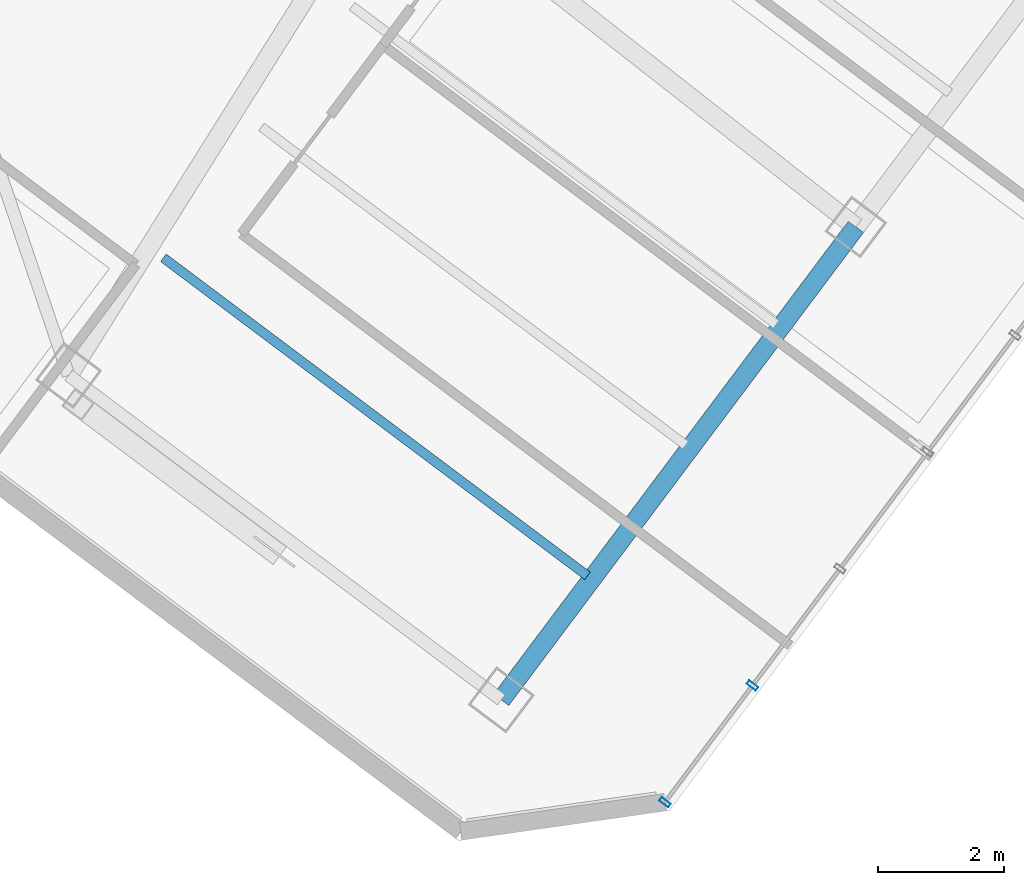
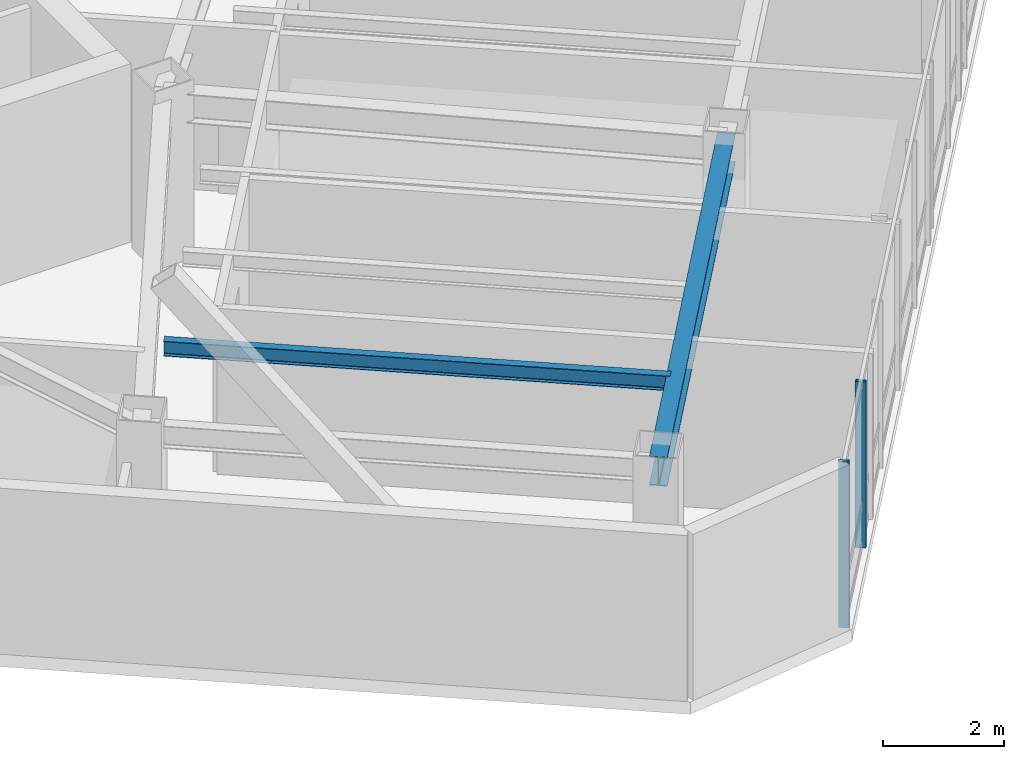
# One storey, part 2 of 26: 2 beams, 2 members, 1 element without a shape of its own.
"""IFC4 building model written with IfcOpenShell, lengths in metres."""

from ifc_helpers import new_model, si_unit, direction, frame, origin, origin_2d, place, context, subcontext, project, spatial, hollow_rectangle, i_section, extrude, material, layer, layer_set, material_profile, profile_set, type_object, element, aggregate, save


model = new_model("IFC4")

# Units and contexts
model_context = context("Model", 3, precision=1e-05, world=origin(), true_north=direction((0.0, 1.0)))
body_context = subcontext(model_context, "Body", "Model", "MODEL_VIEW")
ifc_project = project(units=[si_unit("LENGTHUNIT", "METRE"), si_unit("AREAUNIT", "SQUARE_METRE"), si_unit("VOLUMEUNIT", "CUBIC_METRE"), si_unit("PLANEANGLEUNIT", "RADIAN"), si_unit("MASSUNIT", "GRAM", prefix="KILO")], contexts=[model_context])

# Site, building, storey
site_placement = place(None, origin())
site = spatial("IfcSite", under=ifc_project, at=site_placement, CompositionType="ELEMENT")
building_placement = place(site_placement, origin())
building = spatial("IfcBuilding", under=site, at=building_placement, Name="Hatsunagi Terrace Concourse", CompositionType="ELEMENT")
storey_placement = place(building_placement, frame((0.0, 0.0, 195.14990234375)))
storey = spatial("IfcBuildingStorey", under=building, at=storey_placement, Name="L51", CompositionType="ELEMENT", Elevation=195.14990234375)

# Curtain wall, members
ifc_material_1 = material(Name="Anodised Aluminium Alloy 6063-T5", Category="aluminium")
ifc_layer = layer(ifc_material_1, 0.199951171875)
ifc_layer_set = layer_set([ifc_layer], Name="OfficeZone2_CW04")
curtain_wall_type = type_object("IfcCurtainWallType", Name="OfficeZone2_CW04", PredefinedType="NOTDEFINED", material=ifc_layer_set)
curtain_wall_placement = place(storey_placement, origin())
curtain_wall = element("IfcCurtainWall", 1, at=curtain_wall_placement, inside=storey, type_object=curtain_wall_type, Name="Unitised Curtain Wall CW-04 CW-L51-03", PredefinedType="NOTDEFINED")
ifc_material_2 = material(Name="Anodised Aluminium Alloy 6063-T5", Category="aluminium")
ifc_material_profile_1 = material_profile(ifc_material_2, hollow_rectangle(XDim=0.070068359375, YDim=0.179931640625, WallThickness=0.00390625, at=origin_2d()), Name="ALU-MUL-180x70x4")
ifc_profile_set_1 = profile_set([ifc_material_profile_1], Name="Anodised Aluminium Alloy 6063-T5")
member_type = type_object("IfcMemberType", Name="CurtainWallMullion_180x70", PredefinedType="MULLION", material=ifc_profile_set_1)
member_1_placement = place(storey_placement, frame((49.554931640625, 11.10595703125, 0.0), z_axis=(0.0, 0.0, 1.0), x_axis=(-0.599969314634, -0.800023013105, 0.0)))
member_1 = element("IfcMember", 2, at=member_1_placement, type_object=member_type, Name="Curtain Wall Mullion MUL-02", PredefinedType="MULLION", context=body_context, shape_type="SweptSolid", body=[
    extrude(hollow_rectangle(XDim=0.070068359375, YDim=0.179931640625, WallThickness=0.00390625, at=origin_2d()), origin(), (0.0, 0.0, 1.0), 3.35009765625),
])
member_2_placement = place(storey_placement, frame((48.1630859375, 9.25, 0.0), z_axis=(0.0, 0.0, 1.0), x_axis=(-0.599969314634, -0.800023013105, 0.0)))
member_2 = element("IfcMember", 3, at=member_2_placement, type_object=member_type, Name="Curtain Wall Mullion MUL-02", PredefinedType="MULLION", context=body_context, shape_type="SweptSolid", body=[
    extrude(hollow_rectangle(XDim=0.070068359375, YDim=0.179931640625, WallThickness=0.00390625, at=origin_2d()), origin(), (0.0, 0.0, 1.0), 3.35009765625),
])
aggregate(curtain_wall, [member_1, member_2])

# Beams
ifc_material_3 = material(Name="Steel SN490B", Category="steel")
ifc_material_profile_2 = material_profile(ifc_material_3, i_section(OverallWidth=0.300048828125, OverallDepth=0.587890625, WebThickness=0.011962890625, FlangeThickness=0.02001953125, FilletRadius=0.01806640625, at=origin_2d()), Name="H-588x300x12x20")
ifc_profile_set_2 = profile_set([ifc_material_profile_2], Name="Steel SN490B")
beam_type_1 = type_object("IfcBeamType", Name="OfficeHighGirder_H_588x300", PredefinedType="BEAM", material=ifc_profile_set_2)
beam_1_placement = place(storey_placement, frame((45.56005859375, 10.8798828125, 3.05615234375), z_axis=(0.599991688754, 0.800006233367, 0.0), x_axis=(-0.800006233367, 0.599991688754, 0.0)))
element("IfcBeam", 4, at=beam_1_placement, inside=storey, type_object=beam_type_1, Name="Beam G-06 BM-L51-SET-2A", PredefinedType="BEAM", context=body_context, shape_type="SweptSolid", body=[
    extrude(i_section(OverallWidth=0.300048828125, OverallDepth=0.587890625, WebThickness=0.011962890625, FlangeThickness=0.02001953125, FilletRadius=0.01806640625, at=origin_2d()), origin(), (0.0, 0.0, 1.0), 9.39990234375),
])
ifc_material_4 = material(Name="Steel SN490B", Category="steel")
ifc_material_profile_3 = material_profile(ifc_material_4, i_section(OverallWidth=0.14990234375, OverallDepth=0.300048828125, WebThickness=0.006591796875, FlangeThickness=0.009033203125, FilletRadius=0.010986328125, at=origin_2d()), Name="H-300x150x6.5x9")
ifc_profile_set_3 = profile_set([ifc_material_profile_3], Name="Steel SN490B")
beam_type_2 = type_object("IfcBeamType", Name="OfficeJoist_H_300x150", PredefinedType="JOIST", material=ifc_profile_set_3)
beam_2_placement = place(storey_placement, frame((40.18798828125, 17.908935546875, 3.2001953125), z_axis=(0.800003475366, -0.59999536615, 0.0), x_axis=(0.59999536615, 0.800003475366, 0.0)))
element("IfcBeam", 5, at=beam_2_placement, inside=storey, type_object=beam_type_2, Name="Beam J-03 J-L51-SE-2-46", PredefinedType="JOIST", context=body_context, shape_type="SweptSolid", body=[
    extrude(i_section(OverallWidth=0.14990234375, OverallDepth=0.300048828125, WebThickness=0.006591796875, FlangeThickness=0.009033203125, FilletRadius=0.010986328125, at=origin_2d()), origin(), (0.0, 0.0, 1.0), 8.429931640625),
])

save(model, "model.ifc")
